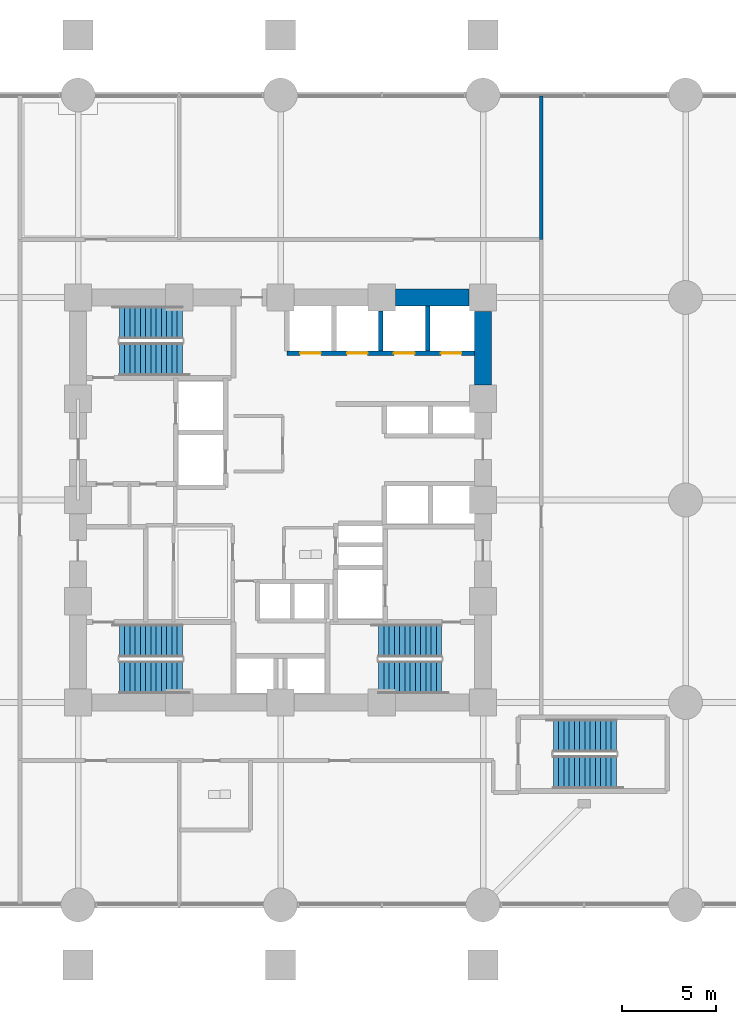
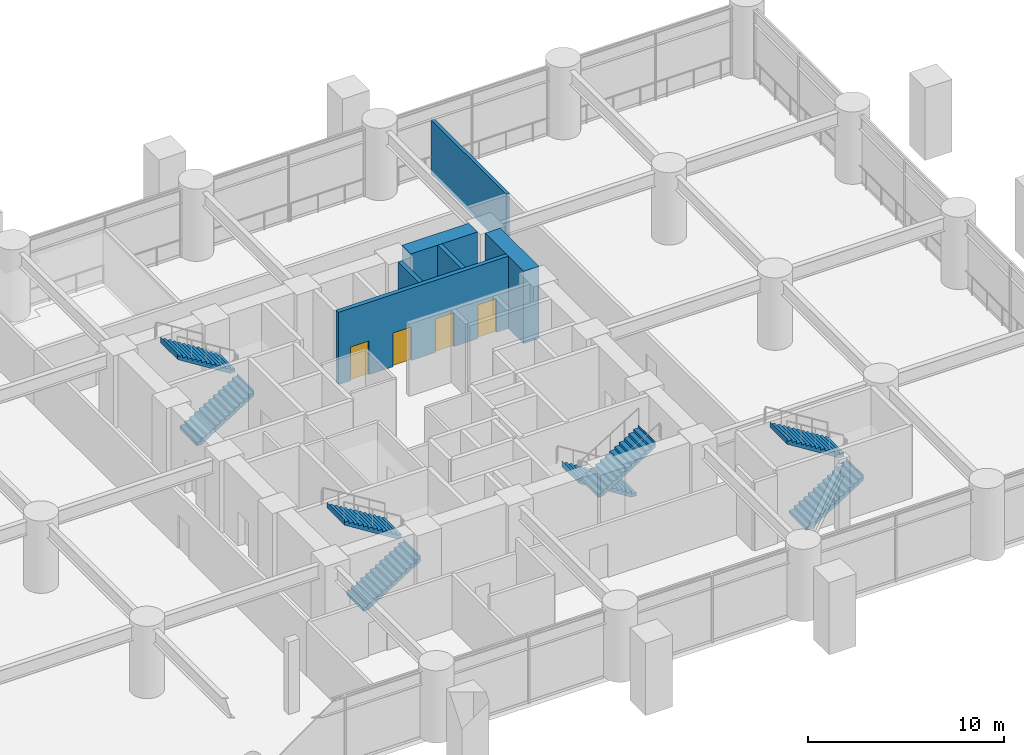
# One storey, part 25 of 31: 8 stair flights, 6 walls, 4 doors, 4 openings, 4 elements without a shape of their own.
"""IFC4 building model written with IfcOpenShell, lengths in metres."""

from ifc_helpers import new_model, si_unit, direction, frame, frame_2d, origin, place, context, subcontext, project, spatial, polyline, rectangle, outline, extrude, material, layer, layer_set, type_object, element, fill, aggregate, save


model = new_model("IFC4")

# Units and contexts
model_context = context("Model", 3, precision=1e-05, world=origin(), true_north=direction((0.0, 1.0)))
body_context = subcontext(model_context, "Body", "Model", "MODEL_VIEW")
ifc_project = project(units=[si_unit("LENGTHUNIT", "METRE"), si_unit("AREAUNIT", "SQUARE_METRE"), si_unit("VOLUMEUNIT", "CUBIC_METRE"), si_unit("PLANEANGLEUNIT", "RADIAN"), si_unit("MASSUNIT", "GRAM", prefix="KILO")], contexts=[model_context])

# Site, building, storey
site_placement = place(None, origin())
site = spatial("IfcSite", under=ifc_project, at=site_placement, CompositionType="ELEMENT")
building_placement = place(site_placement, origin())
building = spatial("IfcBuilding", under=site, at=building_placement, Name="Surkhivell Harbour Commons", CompositionType="ELEMENT")
storey_placement = place(building_placement, frame((0.0, 0.0, 4.5)))
storey = spatial("IfcBuildingStorey", under=building, at=storey_placement, Name="L01", CompositionType="ELEMENT", Elevation=4.5)

# Walls
ifc_material_1 = material(Name="Concrete C80/95", Category="concrete")
ifc_layer_1 = layer(ifc_material_1, 0.89990234375)
ifc_layer_set_1 = layer_set([ifc_layer_1], Name="Concrete C80/95")
wall_type_1 = type_object("IfcWallType", Name="WAL-CORE-900", PredefinedType="SHEAR", material=ifc_layer_set_1)
for number, where, z_axis, x_axis, name in (
    (1, (6.135009765625, 10.800048828125, 0.0), (0.0, 0.0, 1.0), (1.0, 0.0, 0.0), "L01 Core Shear Wall North 4"),
    (2, (10.800048828125, 6.135009765625, 0.0), (0.0, 0.0, 1.0), (0.0, 1.0, 0.0), "L01 Core Shear Wall East 4"),
):
    element("IfcWall", number, at=place(storey_placement, frame(where, z_axis=z_axis, x_axis=x_axis)), inside=storey, type_object=wall_type_1, Name=name, PredefinedType="SHEAR", context=body_context, shape_type="SweptSolid", body=[
        extrude(rectangle(XDim=3.929931640625, YDim=0.89990234375, at=frame_2d((1.96484375, 0.0))), origin(), (0.0, 0.0, 1.0), 4.5),
    ])
ifc_material_2 = material(Name="Autoclaved aerated concrete blockwork and fire plaster", Category="masonry")
ifc_layer_2 = layer(ifc_material_2, 0.199951171875)
ifc_layer_set_2 = layer_set([ifc_layer_2], Name="Autoclaved aerated concrete blockwork and fire plaster")
wall_type_2 = type_object("IfcWallType", Name="WAL-INT-200", PredefinedType="PARTITIONING", material=ifc_layer_set_2)
wall_1_placement = place(storey_placement, frame((13.89990234375, 13.89990234375, 0.0), z_axis=(0.0, 0.0, 1.0), x_axis=(0.0, 1.0, 0.0)))
element("IfcWall", 3, at=wall_1_placement, inside=storey, type_object=wall_type_2, Name="L01 Corner NE Divider", PredefinedType="PARTITIONING", context=body_context, shape_type="SweptSolid", body=[
    extrude(rectangle(XDim=7.66015625, YDim=0.199951171875, at=frame_2d((3.830078125, 0.0))), origin(), (0.0, 0.0, 1.0), 3.37890625),
])
ifc_material_3 = material(Name="Concrete C50/60", Category="concrete")
ifc_layer_3 = layer(ifc_material_3, 0.25)
ifc_layer_set_3 = layer_set([ifc_layer_3], Name="Concrete C50/60")
wall_type_3 = type_object("IfcWallType", Name="WAL-SHAFT-250", PredefinedType="SHEAR", material=ifc_layer_set_3)
wall_2_placement = place(storey_placement, frame((5.35009765625, 7.93994140625, 0.0), z_axis=(0.0, 0.0, 1.0), x_axis=(0.0, 1.0, 0.0)))
element("IfcWall", 4, at=wall_2_placement, inside=storey, type_object=wall_type_3, Name="L01 Low-Rise Hoistway Wall", PredefinedType="SHEAR", context=body_context, shape_type="SweptSolid", body=[
    extrude(rectangle(XDim=2.135009765625, YDim=0.25, at=frame_2d((1.0673828125, 0.0))), origin(), (0.0, 0.0, 1.0), 4.5),
])
wall_3_placement = place(storey_placement, frame((7.85009765625, 7.93994140625, 0.0), z_axis=(0.0, 0.0, 1.0), x_axis=(0.0, 1.0, 0.0)))
element("IfcWall", 5, at=wall_3_placement, inside=storey, type_object=wall_type_3, Name="L01 Low-Rise Hoistway Wall", PredefinedType="SHEAR", context=body_context, shape_type="SweptSolid", body=[
    extrude(rectangle(XDim=2.41015625, YDim=0.25, at=frame_2d((1.205078125, 0.0))), origin(), (0.0, 0.0, 1.0), 4.5),
])

# Wall, openings, doors
wall_4_placement = place(storey_placement, frame((0.35009765625, 7.820068359375, 0.0), z_axis=(0.0, 0.0, 1.0), x_axis=(1.0, 0.0, 0.0)))
wall_4 = element("IfcWall", 6, at=wall_4_placement, inside=storey, type_object=wall_type_3, Name="L01 Low-Rise Lift Front Shaft Wall", PredefinedType="SHEAR", context=body_context, shape_type="SweptSolid", body=[
    extrude(rectangle(XDim=10.0, YDim=0.25, at=frame_2d((5.0, 0.0))), origin(), (0.0, 0.0, 1.0), 4.5),
])
opening_1_placement = place(wall_4_placement, frame((0.699951171875, 0.0, 0.0)))
opening_1 = element("IfcOpeningElement", 7, at=opening_1_placement, cuts=wall_4, Name="Opening LD-1", PredefinedType="OPENING", context=body_context, shape_type="SweptSolid", body=[
    extrude(rectangle(XDim=1.10009765625, YDim=2.10009765625, at=frame_2d((0.550048828125, 1.050048828125))), frame((0.0, 0.135009765625, 0.0), z_axis=(0.0, -1.0, 0.0), x_axis=(1.0, 0.0, 0.0)), (0.0, 0.0, 1.0), 0.27001953125),
])
opening_2_placement = place(wall_4_placement, frame((3.199951171875, 0.0, 0.0)))
opening_2 = element("IfcOpeningElement", 8, at=opening_2_placement, cuts=wall_4, Name="Opening LD-1", PredefinedType="OPENING", context=body_context, shape_type="SweptSolid", body=[
    extrude(rectangle(XDim=1.10009765625, YDim=2.10009765625, at=frame_2d((0.550048828125, 1.050048828125))), frame((0.0, 0.135009765625, 0.0), z_axis=(0.0, -1.0, 0.0), x_axis=(1.0, 0.0, 0.0)), (0.0, 0.0, 1.0), 0.27001953125),
])
opening_3_placement = place(wall_4_placement, frame((5.699951171875, 0.0, 0.0)))
opening_3 = element("IfcOpeningElement", 9, at=opening_3_placement, cuts=wall_4, Name="Opening LD-1", PredefinedType="OPENING", context=body_context, shape_type="SweptSolid", body=[
    extrude(rectangle(XDim=1.10009765625, YDim=2.10009765625, at=frame_2d((0.550048828125, 1.050048828125))), frame((0.0, 0.135009765625, 0.0), z_axis=(0.0, -1.0, 0.0), x_axis=(1.0, 0.0, 0.0)), (0.0, 0.0, 1.0), 0.27001953125),
])
opening_4_placement = place(wall_4_placement, frame((8.199951171875, 0.0, 0.0)))
opening_4 = element("IfcOpeningElement", 10, at=opening_4_placement, cuts=wall_4, Name="Opening LD-1", PredefinedType="OPENING", context=body_context, shape_type="SweptSolid", body=[
    extrude(rectangle(XDim=1.10009765625, YDim=2.10009765625, at=frame_2d((0.550048828125, 1.050048828125))), frame((0.0, 0.135009765625, 0.0), z_axis=(0.0, -1.0, 0.0), x_axis=(1.0, 0.0, 0.0)), (0.0, 0.0, 1.0), 0.27001953125),
])
ifc_material_4 = material(Name="Brushed stainless steel S355", Category="steel")
door_type = type_object("IfcDoorType", Name="DOR-LD-1100", OperationType="SLIDING_TO_LEFT", PredefinedType="DOOR", material=ifc_material_4)
door_1_placement = place(opening_1_placement, origin())
door_1 = element("IfcDoor", 11, at=door_1_placement, inside=storey, type_object=door_type, Name="L01 Lift Landing Door LD-PL1", OperationType="SLIDING_TO_LEFT", OverallHeight=2.10009765625, OverallWidth=1.10009765625, PredefinedType="DOOR", context=body_context, shape_type="SweptSolid", body=[
    extrude(rectangle(XDim=1.10009765625, YDim=2.10009765625, at=frame_2d((0.550048828125, 1.050048828125))), frame((0.0, 0.02490234375, 0.0), z_axis=(0.0, -1.0, 0.0), x_axis=(1.0, 0.0, 0.0)), (0.0, 0.0, 1.0), 0.050048828125),
])
fill(opening_1, door_1)
door_2_placement = place(opening_2_placement, origin())
door_2 = element("IfcDoor", 12, at=door_2_placement, inside=storey, type_object=door_type, Name="L01 Lift Landing Door LD-PL2", OperationType="SLIDING_TO_LEFT", OverallHeight=2.10009765625, OverallWidth=1.10009765625, PredefinedType="DOOR", context=body_context, shape_type="SweptSolid", body=[
    extrude(rectangle(XDim=1.10009765625, YDim=2.10009765625, at=frame_2d((0.550048828125, 1.050048828125))), frame((0.0, 0.02490234375, 0.0), z_axis=(0.0, -1.0, 0.0), x_axis=(1.0, 0.0, 0.0)), (0.0, 0.0, 1.0), 0.050048828125),
])
fill(opening_2, door_2)
door_3_placement = place(opening_3_placement, origin())
door_3 = element("IfcDoor", 13, at=door_3_placement, inside=storey, type_object=door_type, Name="L01 Lift Landing Door LD-PL3", OperationType="SLIDING_TO_LEFT", OverallHeight=2.10009765625, OverallWidth=1.10009765625, PredefinedType="DOOR", context=body_context, shape_type="SweptSolid", body=[
    extrude(rectangle(XDim=1.10009765625, YDim=2.10009765625, at=frame_2d((0.550048828125, 1.050048828125))), frame((0.0, 0.02490234375, 0.0), z_axis=(0.0, -1.0, 0.0), x_axis=(1.0, 0.0, 0.0)), (0.0, 0.0, 1.0), 0.050048828125),
])
fill(opening_3, door_3)
door_4_placement = place(opening_4_placement, origin())
door_4 = element("IfcDoor", 14, at=door_4_placement, inside=storey, type_object=door_type, Name="L01 Lift Landing Door LD-PL4", OperationType="SLIDING_TO_LEFT", OverallHeight=2.10009765625, OverallWidth=1.10009765625, PredefinedType="DOOR", context=body_context, shape_type="SweptSolid", body=[
    extrude(rectangle(XDim=1.10009765625, YDim=2.10009765625, at=frame_2d((0.550048828125, 1.050048828125))), frame((0.0, 0.02490234375, 0.0), z_axis=(0.0, -1.0, 0.0), x_axis=(1.0, 0.0, 0.0)), (0.0, 0.0, 1.0), 0.050048828125),
])
fill(opening_4, door_4)

# Stair, stair flights
ifc_material_5 = material(Name="Precast concrete C45/55", Category="concrete")
stair_type = type_object("IfcStairType", Name="STR-DL-450", PredefinedType="HALF_TURN_STAIR", material=ifc_material_5)
stair_1_placement = place(storey_placement, origin())
stair_1 = element("IfcStair", 15, at=stair_1_placement, inside=storey, type_object=stair_type, Name="L01 Core Exit Stair ST1", PredefinedType="HALF_TURN_STAIR")
stair_flight_type = type_object("IfcStairFlightType", Name="STF-DL-450", PredefinedType="STRAIGHT", material=ifc_material_5)
stair_flight_1_placement = place(storey_placement, frame((-8.590087890625, 7.514892578125, 0.0), z_axis=(0.0, 0.0, 1.0), x_axis=(1.0, 0.0, 0.0)))
stair_flight_1 = element("IfcStairFlight", 16, at=stair_flight_1_placement, type_object=stair_flight_type, Name="ST1 flight 1", NumberOfRisers=13, NumberOfTreads=12, PredefinedType="STRAIGHT", RiserHeight=0.173076923, TreadLength=0.28, context=body_context, shape_type="SweptSolid", body=[
    extrude(outline(polyline([(-0.0029296875, -0.034912109375), (-0.0029296875, 0.0), (0.0, 0.0), (0.0, 0.173095703125), (0.280029296875, 0.173095703125), (0.280029296875, 0.34619140625), (0.56005859375, 0.34619140625), (0.56005859375, 0.519287109375), (0.840087890625, 0.519287109375), (0.840087890625, 0.6923828125), (1.1201171875, 0.6923828125), (1.1201171875, 0.865478515625), (1.39990234375, 0.865478515625), (1.39990234375, 1.03857421875), (1.679931640625, 1.03857421875), (1.679931640625, 1.21142578125), (1.9599609375, 1.21142578125), (1.9599609375, 1.384521484375), (2.239990234375, 1.384521484375), (2.239990234375, 1.5576171875), (2.52001953125, 1.5576171875), (2.52001953125, 1.730712890625), (2.800048828125, 1.730712890625), (2.800048828125, 1.90380859375), (3.080078125, 1.90380859375), (3.080078125, 2.076904296875), (3.360107421875, 2.076904296875), (3.360107421875, 2.25), (3.363037109375, 2.25), (3.363037109375, 1.900634765625), (0.28515625, -0.034912109375), (-0.0029296875, -0.034912109375)])), frame((0.0, 0.875, 0.0), z_axis=(0.0, -1.0, 0.0), x_axis=(1.0, 0.0, 0.0)), (0.0, 0.0, 1.0), 1.75),
])
stair_flight_2_placement = place(storey_placement, frame((-5.22998046875, 9.465087890625, 2.25), z_axis=(0.0, 0.0, 1.0), x_axis=(-1.0, 0.0, 0.0)))
stair_flight_2 = element("IfcStairFlight", 17, at=stair_flight_2_placement, type_object=stair_flight_type, Name="ST1 flight 2", NumberOfRisers=13, NumberOfTreads=12, PredefinedType="STRAIGHT", RiserHeight=0.173076923, TreadLength=0.28, context=body_context, shape_type="SweptSolid", body=[
    extrude(outline(polyline([(-0.0029296875, -0.034912109375), (-0.0029296875, 0.0), (0.0, 0.0), (0.0, 0.173095703125), (0.280029296875, 0.173095703125), (0.280029296875, 0.34619140625), (0.56005859375, 0.34619140625), (0.56005859375, 0.519287109375), (0.840087890625, 0.519287109375), (0.840087890625, 0.6923828125), (1.1201171875, 0.6923828125), (1.1201171875, 0.865478515625), (1.39990234375, 0.865478515625), (1.39990234375, 1.03857421875), (1.679931640625, 1.03857421875), (1.679931640625, 1.21142578125), (1.9599609375, 1.21142578125), (1.9599609375, 1.384521484375), (2.239990234375, 1.384521484375), (2.239990234375, 1.5576171875), (2.52001953125, 1.5576171875), (2.52001953125, 1.730712890625), (2.800048828125, 1.730712890625), (2.800048828125, 1.90380859375), (3.080078125, 1.90380859375), (3.080078125, 2.076904296875), (3.360107421875, 2.076904296875), (3.360107421875, 2.25), (3.363037109375, 2.25), (3.363037109375, 1.900634765625), (0.28515625, -0.034912109375), (-0.0029296875, -0.034912109375)])), frame((0.0, 0.875, 0.0), z_axis=(0.0, -1.0, 0.0), x_axis=(1.0, 0.0, 0.0)), (0.0, 0.0, 1.0), 1.75),
])
aggregate(stair_1, [stair_flight_1, stair_flight_2])

stair_2_placement = place(storey_placement, origin())
stair_2 = element("IfcStair", 18, at=stair_2_placement, inside=storey, type_object=stair_type, Name="L01 Core Exit Stair ST2", PredefinedType="HALF_TURN_STAIR")
stair_flight_3_placement = place(storey_placement, frame((8.590087890625, -7.514892578125, 0.0), z_axis=(0.0, 0.0, 1.0), x_axis=(-1.0, 0.0, 0.0)))
stair_flight_3 = element("IfcStairFlight", 19, at=stair_flight_3_placement, type_object=stair_flight_type, Name="ST2 flight 1", NumberOfRisers=13, NumberOfTreads=12, PredefinedType="STRAIGHT", RiserHeight=0.173076923, TreadLength=0.28, context=body_context, shape_type="SweptSolid", body=[
    extrude(outline(polyline([(-0.0029296875, -0.034912109375), (-0.0029296875, 0.0), (0.0, 0.0), (0.0, 0.173095703125), (0.280029296875, 0.173095703125), (0.280029296875, 0.34619140625), (0.56005859375, 0.34619140625), (0.56005859375, 0.519287109375), (0.840087890625, 0.519287109375), (0.840087890625, 0.6923828125), (1.1201171875, 0.6923828125), (1.1201171875, 0.865478515625), (1.39990234375, 0.865478515625), (1.39990234375, 1.03857421875), (1.679931640625, 1.03857421875), (1.679931640625, 1.21142578125), (1.9599609375, 1.21142578125), (1.9599609375, 1.384521484375), (2.239990234375, 1.384521484375), (2.239990234375, 1.5576171875), (2.52001953125, 1.5576171875), (2.52001953125, 1.730712890625), (2.800048828125, 1.730712890625), (2.800048828125, 1.90380859375), (3.080078125, 1.90380859375), (3.080078125, 2.076904296875), (3.360107421875, 2.076904296875), (3.360107421875, 2.25), (3.363037109375, 2.25), (3.363037109375, 1.900634765625), (0.28515625, -0.034912109375), (-0.0029296875, -0.034912109375)])), frame((0.0, 0.875, 0.0), z_axis=(0.0, -1.0, 0.0), x_axis=(1.0, 0.0, 0.0)), (0.0, 0.0, 1.0), 1.75),
])
stair_flight_4_placement = place(storey_placement, frame((5.22998046875, -9.465087890625, 2.25), z_axis=(0.0, 0.0, 1.0), x_axis=(1.0, 0.0, 0.0)))
stair_flight_4 = element("IfcStairFlight", 20, at=stair_flight_4_placement, type_object=stair_flight_type, Name="ST2 flight 2", NumberOfRisers=13, NumberOfTreads=12, PredefinedType="STRAIGHT", RiserHeight=0.173076923, TreadLength=0.28, context=body_context, shape_type="SweptSolid", body=[
    extrude(outline(polyline([(-0.0029296875, -0.034912109375), (-0.0029296875, 0.0), (0.0, 0.0), (0.0, 0.173095703125), (0.280029296875, 0.173095703125), (0.280029296875, 0.34619140625), (0.56005859375, 0.34619140625), (0.56005859375, 0.519287109375), (0.840087890625, 0.519287109375), (0.840087890625, 0.6923828125), (1.1201171875, 0.6923828125), (1.1201171875, 0.865478515625), (1.39990234375, 0.865478515625), (1.39990234375, 1.03857421875), (1.679931640625, 1.03857421875), (1.679931640625, 1.21142578125), (1.9599609375, 1.21142578125), (1.9599609375, 1.384521484375), (2.239990234375, 1.384521484375), (2.239990234375, 1.5576171875), (2.52001953125, 1.5576171875), (2.52001953125, 1.730712890625), (2.800048828125, 1.730712890625), (2.800048828125, 1.90380859375), (3.080078125, 1.90380859375), (3.080078125, 2.076904296875), (3.360107421875, 2.076904296875), (3.360107421875, 2.25), (3.363037109375, 2.25), (3.363037109375, 1.900634765625), (0.28515625, -0.034912109375), (-0.0029296875, -0.034912109375)])), frame((0.0, 0.875, 0.0), z_axis=(0.0, -1.0, 0.0), x_axis=(1.0, 0.0, 0.0)), (0.0, 0.0, 1.0), 1.75),
])
aggregate(stair_2, [stair_flight_3, stair_flight_4])

stair_3_placement = place(storey_placement, origin())
stair_3 = element("IfcStair", 21, at=stair_3_placement, inside=storey, type_object=stair_type, Name="L01 Core Exit Stair ST3", PredefinedType="HALF_TURN_STAIR")
stair_flight_5_placement = place(storey_placement, frame((-8.590087890625, -9.465087890625, 0.0), z_axis=(0.0, 0.0, 1.0), x_axis=(1.0, 0.0, 0.0)))
stair_flight_5 = element("IfcStairFlight", 22, at=stair_flight_5_placement, type_object=stair_flight_type, Name="ST3 flight 1", NumberOfRisers=13, NumberOfTreads=12, PredefinedType="STRAIGHT", RiserHeight=0.173076923, TreadLength=0.28, context=body_context, shape_type="SweptSolid", body=[
    extrude(outline(polyline([(-0.0029296875, -0.034912109375), (-0.0029296875, 0.0), (0.0, 0.0), (0.0, 0.173095703125), (0.280029296875, 0.173095703125), (0.280029296875, 0.34619140625), (0.56005859375, 0.34619140625), (0.56005859375, 0.519287109375), (0.840087890625, 0.519287109375), (0.840087890625, 0.6923828125), (1.1201171875, 0.6923828125), (1.1201171875, 0.865478515625), (1.39990234375, 0.865478515625), (1.39990234375, 1.03857421875), (1.679931640625, 1.03857421875), (1.679931640625, 1.21142578125), (1.9599609375, 1.21142578125), (1.9599609375, 1.384521484375), (2.239990234375, 1.384521484375), (2.239990234375, 1.5576171875), (2.52001953125, 1.5576171875), (2.52001953125, 1.730712890625), (2.800048828125, 1.730712890625), (2.800048828125, 1.90380859375), (3.080078125, 1.90380859375), (3.080078125, 2.076904296875), (3.360107421875, 2.076904296875), (3.360107421875, 2.25), (3.363037109375, 2.25), (3.363037109375, 1.900634765625), (0.28515625, -0.034912109375), (-0.0029296875, -0.034912109375)])), frame((0.0, 0.875, 0.0), z_axis=(0.0, -1.0, 0.0), x_axis=(1.0, 0.0, 0.0)), (0.0, 0.0, 1.0), 1.75),
])
stair_flight_6_placement = place(storey_placement, frame((-5.22998046875, -7.514892578125, 2.25), z_axis=(0.0, 0.0, 1.0), x_axis=(-1.0, 0.0, 0.0)))
stair_flight_6 = element("IfcStairFlight", 23, at=stair_flight_6_placement, type_object=stair_flight_type, Name="ST3 flight 2", NumberOfRisers=13, NumberOfTreads=12, PredefinedType="STRAIGHT", RiserHeight=0.173076923, TreadLength=0.28, context=body_context, shape_type="SweptSolid", body=[
    extrude(outline(polyline([(-0.0029296875, -0.034912109375), (-0.0029296875, 0.0), (0.0, 0.0), (0.0, 0.173095703125), (0.280029296875, 0.173095703125), (0.280029296875, 0.34619140625), (0.56005859375, 0.34619140625), (0.56005859375, 0.519287109375), (0.840087890625, 0.519287109375), (0.840087890625, 0.6923828125), (1.1201171875, 0.6923828125), (1.1201171875, 0.865478515625), (1.39990234375, 0.865478515625), (1.39990234375, 1.03857421875), (1.679931640625, 1.03857421875), (1.679931640625, 1.21142578125), (1.9599609375, 1.21142578125), (1.9599609375, 1.384521484375), (2.239990234375, 1.384521484375), (2.239990234375, 1.5576171875), (2.52001953125, 1.5576171875), (2.52001953125, 1.730712890625), (2.800048828125, 1.730712890625), (2.800048828125, 1.90380859375), (3.080078125, 1.90380859375), (3.080078125, 2.076904296875), (3.360107421875, 2.076904296875), (3.360107421875, 2.25), (3.363037109375, 2.25), (3.363037109375, 1.900634765625), (0.28515625, -0.034912109375), (-0.0029296875, -0.034912109375)])), frame((0.0, 0.875, 0.0), z_axis=(0.0, -1.0, 0.0), x_axis=(1.0, 0.0, 0.0)), (0.0, 0.0, 1.0), 1.75),
])
aggregate(stair_3, [stair_flight_5, stair_flight_6])

stair_4_placement = place(storey_placement, origin())
stair_4 = element("IfcStair", 24, at=stair_4_placement, inside=storey, type_object=stair_type, Name="L01 Podium Exit Stair ST4", PredefinedType="HALF_TURN_STAIR")
stair_flight_7_placement = place(storey_placement, frame((14.550048828125, -14.52490234375, 0.0), z_axis=(0.0, 0.0, 1.0), x_axis=(1.0, 0.0, 0.0)))
stair_flight_7 = element("IfcStairFlight", 25, at=stair_flight_7_placement, type_object=stair_flight_type, Name="ST4 flight 1", NumberOfRisers=13, NumberOfTreads=12, PredefinedType="STRAIGHT", RiserHeight=0.173076923, TreadLength=0.28, context=body_context, shape_type="SweptSolid", body=[
    extrude(outline(polyline([(-0.0029296875, -0.034912109375), (-0.0029296875, 0.0), (0.0, 0.0), (0.0, 0.173095703125), (0.280029296875, 0.173095703125), (0.280029296875, 0.34619140625), (0.56005859375, 0.34619140625), (0.56005859375, 0.519287109375), (0.840087890625, 0.519287109375), (0.840087890625, 0.6923828125), (1.1201171875, 0.6923828125), (1.1201171875, 0.865478515625), (1.39990234375, 0.865478515625), (1.39990234375, 1.03857421875), (1.679931640625, 1.03857421875), (1.679931640625, 1.21142578125), (1.9599609375, 1.21142578125), (1.9599609375, 1.384521484375), (2.239990234375, 1.384521484375), (2.239990234375, 1.5576171875), (2.52001953125, 1.5576171875), (2.52001953125, 1.730712890625), (2.800048828125, 1.730712890625), (2.800048828125, 1.90380859375), (3.080078125, 1.90380859375), (3.080078125, 2.076904296875), (3.360107421875, 2.076904296875), (3.360107421875, 2.25), (3.363037109375, 2.25), (3.363037109375, 1.900634765625), (0.28515625, -0.034912109375), (-0.0029296875, -0.034912109375)])), frame((0.0, 0.875, 0.0), z_axis=(0.0, -1.0, 0.0), x_axis=(1.0, 0.0, 0.0)), (0.0, 0.0, 1.0), 1.75),
])
stair_flight_8_placement = place(storey_placement, frame((17.909912109375, -12.574951171875, 2.25), z_axis=(0.0, 0.0, 1.0), x_axis=(-1.0, 0.0, 0.0)))
stair_flight_8 = element("IfcStairFlight", 26, at=stair_flight_8_placement, type_object=stair_flight_type, Name="ST4 flight 2", NumberOfRisers=13, NumberOfTreads=12, PredefinedType="STRAIGHT", RiserHeight=0.173076923, TreadLength=0.28, context=body_context, shape_type="SweptSolid", body=[
    extrude(outline(polyline([(-0.0029296875, -0.034912109375), (-0.0029296875, 0.0), (0.0, 0.0), (0.0, 0.173095703125), (0.280029296875, 0.173095703125), (0.280029296875, 0.34619140625), (0.56005859375, 0.34619140625), (0.56005859375, 0.519287109375), (0.840087890625, 0.519287109375), (0.840087890625, 0.6923828125), (1.1201171875, 0.6923828125), (1.1201171875, 0.865478515625), (1.39990234375, 0.865478515625), (1.39990234375, 1.03857421875), (1.679931640625, 1.03857421875), (1.679931640625, 1.21142578125), (1.9599609375, 1.21142578125), (1.9599609375, 1.384521484375), (2.239990234375, 1.384521484375), (2.239990234375, 1.5576171875), (2.52001953125, 1.5576171875), (2.52001953125, 1.730712890625), (2.800048828125, 1.730712890625), (2.800048828125, 1.90380859375), (3.080078125, 1.90380859375), (3.080078125, 2.076904296875), (3.360107421875, 2.076904296875), (3.360107421875, 2.25), (3.363037109375, 2.25), (3.363037109375, 1.900634765625), (0.28515625, -0.034912109375), (-0.0029296875, -0.034912109375)])), frame((0.0, 0.875, 0.0), z_axis=(0.0, -1.0, 0.0), x_axis=(1.0, 0.0, 0.0)), (0.0, 0.0, 1.0), 1.75),
])
aggregate(stair_4, [stair_flight_7, stair_flight_8])

save(model, "model.ifc")
